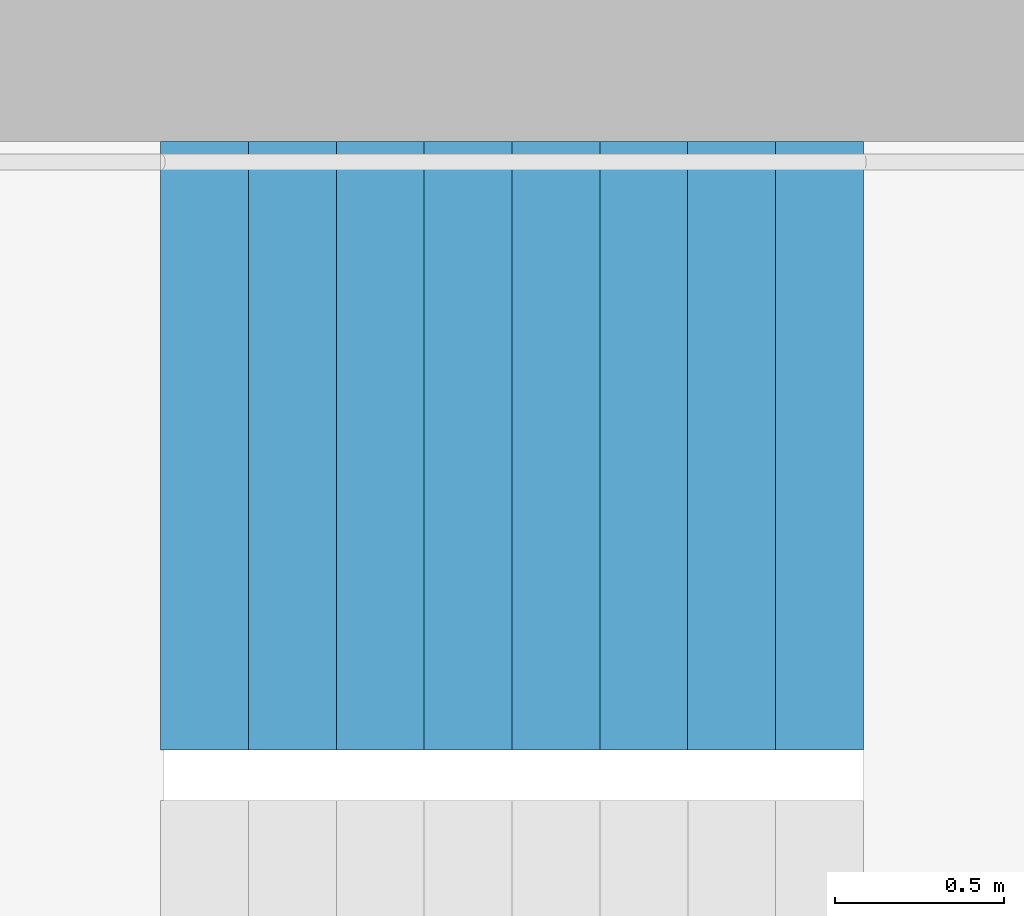
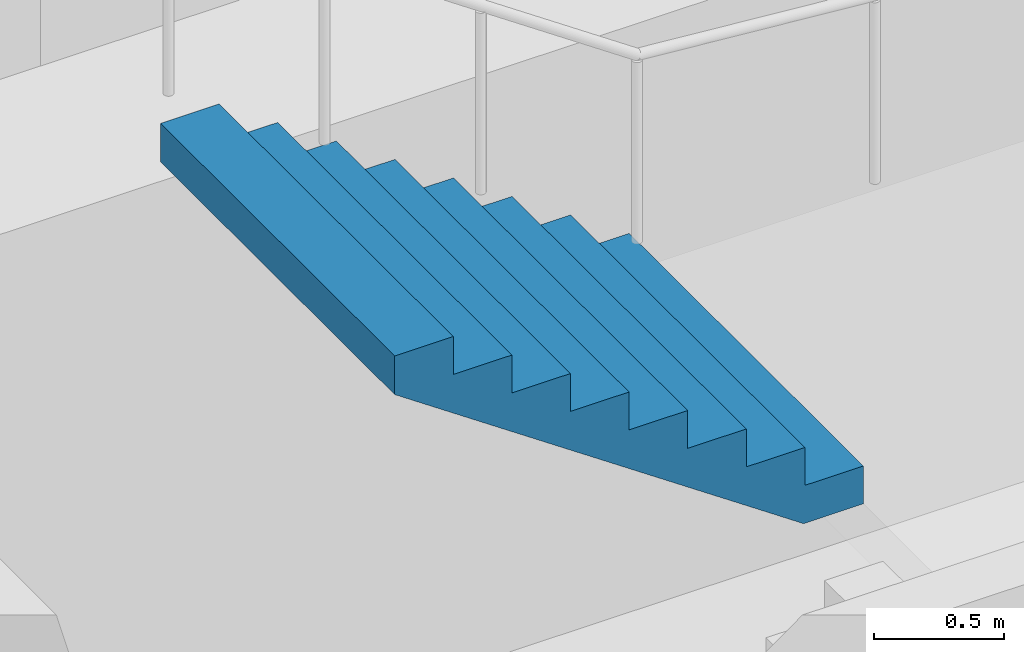
# One storey, part 20 of 25: 1 stair flight, 1 element without a shape of its own.
"""IFC4 building model written with IfcOpenShell, lengths in metres."""

from ifc_helpers import new_model, si_unit, direction, frame, origin, place, context, subcontext, project, spatial, triangles, material, type_object, element, aggregate, save


model = new_model("IFC4")

# Units and contexts
model_context = context("Model", 3, precision=1e-05, world=origin(), true_north=direction((0.0, 1.0)))
body_context = subcontext(model_context, "Body", "Model", "MODEL_VIEW")
ifc_project = project(units=[si_unit("LENGTHUNIT", "METRE"), si_unit("AREAUNIT", "SQUARE_METRE"), si_unit("VOLUMEUNIT", "CUBIC_METRE"), si_unit("PLANEANGLEUNIT", "RADIAN"), si_unit("MASSUNIT", "GRAM", prefix="KILO")], contexts=[model_context])

# Site, building, storey
site_placement = place(None, origin())
site = spatial("IfcSite", under=ifc_project, at=site_placement, CompositionType="ELEMENT")
building_placement = place(site_placement, origin())
building = spatial("IfcBuilding", under=site, at=building_placement, Name="Hakoniwa Tower and Hamabe Station Hall", CompositionType="ELEMENT")
storey_placement = place(building_placement, frame((0.0, 0.0, 202.60009765625)))
storey = spatial("IfcBuildingStorey", under=building, at=storey_placement, Name="L57", CompositionType="ELEMENT", Elevation=202.60009765625)

# Stair, stair flight
ifc_material_1 = material(Name="Concrete C40", Category="concrete")
stair_type = type_object("IfcStairType", Name="ESCAPE STAIR 1800", PredefinedType="HALF_TURN_STAIR", material=ifc_material_1)
stair_placement = place(storey_placement, origin())
stair = element("IfcStair", 1, at=stair_placement, inside=storey, type_object=stair_type, Name="Escape stair ST-1 L57", PredefinedType="HALF_TURN_STAIR")
ifc_material_2 = material(Name="Concrete C40", Category="concrete")
stair_flight_type = type_object("IfcStairFlightType", Name="STAIR FLIGHT 1800", PredefinedType="STRAIGHT", material=ifc_material_2)
stair_flight_placement = place(storey_placement, frame((-22.320068359375, 6.60009765625, 1.599853515625), z_axis=(0.0, 0.0, 1.0), x_axis=(-1.0, 0.0, 0.0)))
stair_flight = element("IfcStairFlight", 2, at=stair_flight_placement, type_object=stair_flight_type, Name="ST-1 flight 2", NumberOfRisers=9, NumberOfTreads=8, PredefinedType="STRAIGHT", RiserHeight=0.177777778, TreadLength=0.26, context=body_context, shape_type="Tessellation", body=[
    triangles([(0.0, 0.89990234375, 0.0), (0.260009765625, 0.89990234375, 0.0), (0.265625, 0.89990234375, 0.0), (0.52001953125, 0.89990234375, 0.174072265625), (0.780029296875, 0.89990234375, 0.351806640625), (1.0400390625, 0.89990234375, 0.529541015625), (1.300048828125, 0.89990234375, 0.707275390625), (1.56005859375, 0.89990234375, 0.885009765625), (1.820068359375, 0.89990234375, 1.062744140625), (2.080078125, 0.89990234375, 1.24072265625), (2.080078125, 0.89990234375, 1.422119140625), (1.820068359375, 0.89990234375, 1.422119140625), (1.820068359375, 0.89990234375, 1.244384765625), (1.56005859375, 0.89990234375, 1.244384765625), (1.56005859375, 0.89990234375, 1.066650390625), (1.300048828125, 0.89990234375, 1.066650390625), (1.300048828125, 0.89990234375, 0.888916015625), (1.0400390625, 0.89990234375, 0.888916015625), (1.0400390625, 0.89990234375, 0.711181640625), (0.780029296875, 0.89990234375, 0.711181640625), (0.780029296875, 0.89990234375, 0.533447265625), (0.52001953125, 0.89990234375, 0.533447265625), (0.52001953125, 0.89990234375, 0.35546875), (0.265625, 0.89990234375, 0.35546875), (0.260009765625, 0.89990234375, 0.35546875), (0.260009765625, 0.89990234375, 0.177734375), (0.0, 0.89990234375, 0.177734375), (0.0, 0.06005859375, 0.0), (0.260009765625, 0.06005859375, 0.0), (0.265625, 0.06005859375, 0.0), (0.52001953125, 0.06005859375, 0.174072265625), (0.780029296875, 0.06005859375, 0.351806640625), (1.0400390625, 0.06005859375, 0.529541015625), (1.300048828125, 0.06005859375, 0.707275390625), (1.56005859375, 0.06005859375, 0.885009765625), (1.820068359375, 0.06005859375, 1.062744140625), (2.080078125, 0.06005859375, 1.24072265625), (2.080078125, 0.06005859375, 1.422119140625), (1.820068359375, 0.06005859375, 1.422119140625), (1.820068359375, 0.06005859375, 1.244384765625), (1.56005859375, 0.06005859375, 1.244384765625), (1.56005859375, 0.06005859375, 1.066650390625), (1.300048828125, 0.06005859375, 1.066650390625), (1.300048828125, 0.06005859375, 0.888916015625), (1.0400390625, 0.06005859375, 0.888916015625), (1.0400390625, 0.06005859375, 0.711181640625), (0.780029296875, 0.06005859375, 0.711181640625), (0.780029296875, 0.06005859375, 0.533447265625), (0.52001953125, 0.06005859375, 0.533447265625), (0.52001953125, 0.06005859375, 0.35546875), (0.265625, 0.06005859375, 0.35546875), (0.260009765625, 0.06005859375, 0.35546875), (0.260009765625, 0.06005859375, 0.177734375), (0.0, 0.06005859375, 0.177734375), (0.0, 0.04296875, 0.0), (0.260009765625, 0.04296875, 0.0), (0.265625, 0.04296875, 0.0), (0.52001953125, 0.04296875, 0.174072265625), (0.780029296875, 0.04296875, 0.351806640625), (1.0400390625, 0.04296875, 0.529541015625), (1.300048828125, 0.04296875, 0.707275390625), (1.56005859375, 0.04296875, 0.885009765625), (1.820068359375, 0.04296875, 1.062744140625), (2.080078125, 0.04296875, 1.24072265625), (2.080078125, 0.04296875, 1.422119140625), (1.820068359375, 0.04296875, 1.422119140625), (1.820068359375, 0.04296875, 1.244384765625), (1.56005859375, 0.04296875, 1.244384765625), (1.56005859375, 0.04296875, 1.066650390625), (1.300048828125, 0.04296875, 1.066650390625), (1.300048828125, 0.04296875, 0.888916015625), (1.0400390625, 0.04296875, 0.888916015625), (1.0400390625, 0.04296875, 0.711181640625), (0.780029296875, 0.04296875, 0.711181640625), (0.780029296875, 0.04296875, 0.533447265625), (0.52001953125, 0.04296875, 0.533447265625), (0.52001953125, 0.04296875, 0.35546875), (0.265625, 0.04296875, 0.35546875), (0.260009765625, 0.04296875, 0.35546875), (0.260009765625, 0.04296875, 0.177734375), (0.0, 0.04296875, 0.177734375), (0.0, 0.025634765625, 0.0), (0.260009765625, 0.025634765625, 0.0), (0.265625, 0.025634765625, 0.0), (0.52001953125, 0.025634765625, 0.174072265625), (0.780029296875, 0.025634765625, 0.351806640625), (1.0400390625, 0.025634765625, 0.529541015625), (1.300048828125, 0.025634765625, 0.707275390625), (1.56005859375, 0.025634765625, 0.885009765625), (1.820068359375, 0.025634765625, 1.062744140625), (2.080078125, 0.025634765625, 1.24072265625), (2.080078125, 0.025634765625, 1.422119140625), (1.820068359375, 0.025634765625, 1.422119140625), (1.820068359375, 0.025634765625, 1.244384765625), (1.56005859375, 0.025634765625, 1.244384765625), (1.56005859375, 0.025634765625, 1.066650390625), (1.300048828125, 0.025634765625, 1.066650390625), (1.300048828125, 0.025634765625, 0.888916015625), (1.0400390625, 0.025634765625, 0.888916015625), (1.0400390625, 0.025634765625, 0.711181640625), (0.780029296875, 0.025634765625, 0.711181640625), (0.780029296875, 0.025634765625, 0.533447265625), (0.52001953125, 0.025634765625, 0.533447265625), (0.52001953125, 0.025634765625, 0.35546875), (0.265625, 0.025634765625, 0.35546875), (0.260009765625, 0.025634765625, 0.35546875), (0.260009765625, 0.025634765625, 0.177734375), (0.0, 0.025634765625, 0.177734375), (0.0, 0.008544921875, 0.0), (0.260009765625, 0.008544921875, 0.0), (0.265625, 0.008544921875, 0.0), (0.52001953125, 0.008544921875, 0.174072265625), (0.780029296875, 0.008544921875, 0.351806640625), (1.0400390625, 0.008544921875, 0.529541015625), (1.300048828125, 0.008544921875, 0.707275390625), (1.56005859375, 0.008544921875, 0.885009765625), (1.820068359375, 0.008544921875, 1.062744140625), (2.080078125, 0.008544921875, 1.24072265625), (2.080078125, 0.008544921875, 1.422119140625), (1.820068359375, 0.008544921875, 1.422119140625), (1.820068359375, 0.008544921875, 1.244384765625), (1.56005859375, 0.008544921875, 1.244384765625), (1.56005859375, 0.008544921875, 1.066650390625), (1.300048828125, 0.008544921875, 1.066650390625), (1.300048828125, 0.008544921875, 0.888916015625), (1.0400390625, 0.008544921875, 0.888916015625), (1.0400390625, 0.008544921875, 0.711181640625), (0.780029296875, 0.008544921875, 0.711181640625), (0.780029296875, 0.008544921875, 0.533447265625), (0.52001953125, 0.008544921875, 0.533447265625), (0.52001953125, 0.008544921875, 0.35546875), (0.265625, 0.008544921875, 0.35546875), (0.260009765625, 0.008544921875, 0.35546875), (0.260009765625, 0.008544921875, 0.177734375), (0.0, 0.008544921875, 0.177734375), (0.0, -0.008544921875, 0.0), (0.260009765625, -0.008544921875, 0.0), (0.265625, -0.008544921875, 0.0), (0.52001953125, -0.008544921875, 0.174072265625), (0.780029296875, -0.008544921875, 0.351806640625), (1.0400390625, -0.008544921875, 0.529541015625), (1.300048828125, -0.008544921875, 0.707275390625), (1.56005859375, -0.008544921875, 0.885009765625), (1.820068359375, -0.008544921875, 1.062744140625), (2.080078125, -0.008544921875, 1.24072265625), (2.080078125, -0.008544921875, 1.422119140625), (1.820068359375, -0.008544921875, 1.422119140625), (1.820068359375, -0.008544921875, 1.244384765625), (1.56005859375, -0.008544921875, 1.244384765625), (1.56005859375, -0.008544921875, 1.066650390625), (1.300048828125, -0.008544921875, 1.066650390625), (1.300048828125, -0.008544921875, 0.888916015625), (1.0400390625, -0.008544921875, 0.888916015625), (1.0400390625, -0.008544921875, 0.711181640625), (0.780029296875, -0.008544921875, 0.711181640625), (0.780029296875, -0.008544921875, 0.533447265625), (0.52001953125, -0.008544921875, 0.533447265625), (0.52001953125, -0.008544921875, 0.35546875), (0.265625, -0.008544921875, 0.35546875), (0.260009765625, -0.008544921875, 0.35546875), (0.260009765625, -0.008544921875, 0.177734375), (0.0, -0.008544921875, 0.177734375), (0.0, -0.025634765625, 0.0), (0.260009765625, -0.025634765625, 0.0), (0.265625, -0.025634765625, 0.0), (0.52001953125, -0.025634765625, 0.174072265625), (0.780029296875, -0.025634765625, 0.351806640625), (1.0400390625, -0.025634765625, 0.529541015625), (1.300048828125, -0.025634765625, 0.707275390625), (1.56005859375, -0.025634765625, 0.885009765625), (1.820068359375, -0.025634765625, 1.062744140625), (2.080078125, -0.025634765625, 1.24072265625), (2.080078125, -0.025634765625, 1.422119140625), (1.820068359375, -0.025634765625, 1.422119140625), (1.820068359375, -0.025634765625, 1.244384765625), (1.56005859375, -0.025634765625, 1.244384765625), (1.56005859375, -0.025634765625, 1.066650390625), (1.300048828125, -0.025634765625, 1.066650390625), (1.300048828125, -0.025634765625, 0.888916015625), (1.0400390625, -0.025634765625, 0.888916015625), (1.0400390625, -0.025634765625, 0.711181640625), (0.780029296875, -0.025634765625, 0.711181640625), (0.780029296875, -0.025634765625, 0.533447265625), (0.52001953125, -0.025634765625, 0.533447265625), (0.52001953125, -0.025634765625, 0.35546875), (0.265625, -0.025634765625, 0.35546875), (0.260009765625, -0.025634765625, 0.35546875), (0.260009765625, -0.025634765625, 0.177734375), (0.0, -0.025634765625, 0.177734375), (0.0, -0.04296875, 0.0), (0.260009765625, -0.04296875, 0.0), (0.265625, -0.04296875, 0.0), (0.52001953125, -0.04296875, 0.174072265625), (0.780029296875, -0.04296875, 0.351806640625), (1.0400390625, -0.04296875, 0.529541015625), (1.300048828125, -0.04296875, 0.707275390625), (1.56005859375, -0.04296875, 0.885009765625), (1.820068359375, -0.04296875, 1.062744140625), (2.080078125, -0.04296875, 1.24072265625), (2.080078125, -0.04296875, 1.422119140625), (1.820068359375, -0.04296875, 1.422119140625), (1.820068359375, -0.04296875, 1.244384765625), (1.56005859375, -0.04296875, 1.244384765625), (1.56005859375, -0.04296875, 1.066650390625), (1.300048828125, -0.04296875, 1.066650390625), (1.300048828125, -0.04296875, 0.888916015625), (1.0400390625, -0.04296875, 0.888916015625), (1.0400390625, -0.04296875, 0.711181640625), (0.780029296875, -0.04296875, 0.711181640625), (0.780029296875, -0.04296875, 0.533447265625), (0.52001953125, -0.04296875, 0.533447265625), (0.52001953125, -0.04296875, 0.35546875), (0.265625, -0.04296875, 0.35546875), (0.260009765625, -0.04296875, 0.35546875), (0.260009765625, -0.04296875, 0.177734375), (0.0, -0.04296875, 0.177734375), (0.0, -0.06005859375, 0.0), (0.260009765625, -0.06005859375, 0.0), (0.265625, -0.06005859375, 0.0), (0.52001953125, -0.06005859375, 0.174072265625), (0.780029296875, -0.06005859375, 0.351806640625), (1.0400390625, -0.06005859375, 0.529541015625), (1.300048828125, -0.06005859375, 0.707275390625), (1.56005859375, -0.06005859375, 0.885009765625), (1.820068359375, -0.06005859375, 1.062744140625), (2.080078125, -0.06005859375, 1.24072265625), (2.080078125, -0.06005859375, 1.422119140625), (1.820068359375, -0.06005859375, 1.422119140625), (1.820068359375, -0.06005859375, 1.244384765625), (1.56005859375, -0.06005859375, 1.244384765625), (1.56005859375, -0.06005859375, 1.066650390625), (1.300048828125, -0.06005859375, 1.066650390625), (1.300048828125, -0.06005859375, 0.888916015625), (1.0400390625, -0.06005859375, 0.888916015625), (1.0400390625, -0.06005859375, 0.711181640625), (0.780029296875, -0.06005859375, 0.711181640625), (0.780029296875, -0.06005859375, 0.533447265625), (0.52001953125, -0.06005859375, 0.533447265625), (0.52001953125, -0.06005859375, 0.35546875), (0.265625, -0.06005859375, 0.35546875), (0.260009765625, -0.06005859375, 0.35546875), (0.260009765625, -0.06005859375, 0.177734375), (0.0, -0.06005859375, 0.177734375), (0.0, -0.89990234375, 0.0), (0.260009765625, -0.89990234375, 0.0), (0.265625, -0.89990234375, 0.0), (0.52001953125, -0.89990234375, 0.174072265625), (0.780029296875, -0.89990234375, 0.351806640625), (1.0400390625, -0.89990234375, 0.529541015625), (1.300048828125, -0.89990234375, 0.707275390625), (1.56005859375, -0.89990234375, 0.885009765625), (1.820068359375, -0.89990234375, 1.062744140625), (2.080078125, -0.89990234375, 1.24072265625), (2.080078125, -0.89990234375, 1.422119140625), (1.820068359375, -0.89990234375, 1.422119140625), (1.820068359375, -0.89990234375, 1.244384765625), (1.56005859375, -0.89990234375, 1.244384765625), (1.56005859375, -0.89990234375, 1.066650390625), (1.300048828125, -0.89990234375, 1.066650390625), (1.300048828125, -0.89990234375, 0.888916015625), (1.0400390625, -0.89990234375, 0.888916015625), (1.0400390625, -0.89990234375, 0.711181640625), (0.780029296875, -0.89990234375, 0.711181640625), (0.780029296875, -0.89990234375, 0.533447265625), (0.52001953125, -0.89990234375, 0.533447265625), (0.52001953125, -0.89990234375, 0.35546875), (0.265625, -0.89990234375, 0.35546875), (0.260009765625, -0.89990234375, 0.35546875), (0.260009765625, -0.89990234375, 0.177734375), (0.0, -0.89990234375, 0.177734375)], [[2, 27, 26], [245, 269, 270], [2, 1, 27], [245, 270, 244], [3, 25, 24], [246, 267, 268], [3, 26, 25], [246, 268, 269], [3, 2, 26], [246, 269, 245], [4, 24, 23], [247, 266, 267], [4, 3, 24], [247, 267, 246], [5, 22, 21], [248, 264, 265], [5, 23, 22], [248, 265, 266], [5, 4, 23], [248, 266, 247], [6, 20, 19], [249, 262, 263], [6, 21, 20], [249, 263, 264], [6, 5, 21], [249, 264, 248], [7, 18, 17], [250, 260, 261], [7, 19, 18], [250, 261, 262], [7, 6, 19], [250, 262, 249], [8, 16, 15], [251, 258, 259], [8, 17, 16], [251, 259, 260], [8, 7, 17], [251, 260, 250], [9, 14, 13], [252, 256, 257], [9, 15, 14], [252, 257, 258], [9, 8, 15], [252, 258, 251], [10, 12, 11], [253, 254, 255], [10, 13, 12], [253, 255, 256], [10, 9, 13], [253, 256, 252], [1, 2, 29], [1, 29, 28], [28, 29, 56], [28, 56, 55], [55, 56, 83], [55, 83, 82], [82, 83, 110], [82, 110, 109], [109, 110, 137], [109, 137, 136], [136, 137, 164], [136, 164, 163], [163, 164, 191], [163, 191, 190], [190, 191, 218], [190, 218, 217], [217, 218, 245], [217, 245, 244], [2, 3, 30], [2, 30, 29], [29, 30, 57], [29, 57, 56], [56, 57, 84], [56, 84, 83], [83, 84, 111], [83, 111, 110], [110, 111, 138], [110, 138, 137], [137, 138, 165], [137, 165, 164], [164, 165, 192], [164, 192, 191], [191, 192, 219], [191, 219, 218], [218, 219, 246], [218, 246, 245], [3, 4, 31], [3, 31, 30], [30, 31, 58], [30, 58, 57], [57, 58, 85], [57, 85, 84], [84, 85, 112], [84, 112, 111], [111, 112, 139], [111, 139, 138], [138, 139, 166], [138, 166, 165], [165, 166, 193], [165, 193, 192], [192, 193, 220], [192, 220, 219], [219, 220, 247], [219, 247, 246], [4, 5, 32], [4, 32, 31], [31, 32, 59], [31, 59, 58], [58, 59, 86], [58, 86, 85], [85, 86, 113], [85, 113, 112], [112, 113, 140], [112, 140, 139], [139, 140, 167], [139, 167, 166], [166, 167, 194], [166, 194, 193], [193, 194, 221], [193, 221, 220], [220, 221, 248], [220, 248, 247], [5, 6, 33], [5, 33, 32], [32, 33, 60], [32, 60, 59], [59, 60, 87], [59, 87, 86], [86, 87, 114], [86, 114, 113], [113, 114, 141], [113, 141, 140], [140, 141, 168], [140, 168, 167], [167, 168, 195], [167, 195, 194], [194, 195, 222], [194, 222, 221], [221, 222, 249], [221, 249, 248], [6, 7, 34], [6, 34, 33], [33, 34, 61], [33, 61, 60], [60, 61, 88], [60, 88, 87], [87, 88, 115], [87, 115, 114], [114, 115, 142], [114, 142, 141], [141, 142, 169], [141, 169, 168], [168, 169, 196], [168, 196, 195], [195, 196, 223], [195, 223, 222], [222, 223, 250], [222, 250, 249], [7, 8, 35], [7, 35, 34], [34, 35, 62], [34, 62, 61], [61, 62, 89], [61, 89, 88], [88, 89, 116], [88, 116, 115], [115, 116, 143], [115, 143, 142], [142, 143, 170], [142, 170, 169], [169, 170, 197], [169, 197, 196], [196, 197, 224], [196, 224, 223], [223, 224, 251], [223, 251, 250], [8, 9, 36], [8, 36, 35], [35, 36, 63], [35, 63, 62], [62, 63, 90], [62, 90, 89], [89, 90, 117], [89, 117, 116], [116, 117, 144], [116, 144, 143], [143, 144, 171], [143, 171, 170], [170, 171, 198], [170, 198, 197], [197, 198, 225], [197, 225, 224], [224, 225, 252], [224, 252, 251], [9, 10, 37], [9, 37, 36], [36, 37, 64], [36, 64, 63], [63, 64, 91], [63, 91, 90], [90, 91, 118], [90, 118, 117], [117, 118, 145], [117, 145, 144], [144, 145, 172], [144, 172, 171], [171, 172, 199], [171, 199, 198], [198, 199, 226], [198, 226, 225], [225, 226, 253], [225, 253, 252], [10, 11, 38], [10, 38, 37], [37, 38, 65], [37, 65, 64], [64, 65, 92], [64, 92, 91], [91, 92, 119], [91, 119, 118], [118, 119, 146], [118, 146, 145], [145, 146, 173], [145, 173, 172], [172, 173, 200], [172, 200, 199], [199, 200, 227], [199, 227, 226], [226, 227, 254], [226, 254, 253], [11, 12, 39], [11, 39, 38], [38, 39, 66], [38, 66, 65], [65, 66, 93], [65, 93, 92], [92, 93, 120], [92, 120, 119], [119, 120, 147], [119, 147, 146], [146, 147, 174], [146, 174, 173], [173, 174, 201], [173, 201, 200], [200, 201, 228], [200, 228, 227], [227, 228, 255], [227, 255, 254], [12, 13, 40], [12, 40, 39], [39, 40, 67], [39, 67, 66], [66, 67, 94], [66, 94, 93], [93, 94, 121], [93, 121, 120], [120, 121, 148], [120, 148, 147], [147, 148, 175], [147, 175, 174], [174, 175, 202], [174, 202, 201], [201, 202, 229], [201, 229, 228], [228, 229, 256], [228, 256, 255], [13, 14, 41], [13, 41, 40], [40, 41, 68], [40, 68, 67], [67, 68, 95], [67, 95, 94], [94, 95, 122], [94, 122, 121], [121, 122, 149], [121, 149, 148], [148, 149, 176], [148, 176, 175], [175, 176, 203], [175, 203, 202], [202, 203, 230], [202, 230, 229], [229, 230, 257], [229, 257, 256], [14, 15, 42], [14, 42, 41], [41, 42, 69], [41, 69, 68], [68, 69, 96], [68, 96, 95], [95, 96, 123], [95, 123, 122], [122, 123, 150], [122, 150, 149], [149, 150, 177], [149, 177, 176], [176, 177, 204], [176, 204, 203], [203, 204, 231], [203, 231, 230], [230, 231, 258], [230, 258, 257], [15, 16, 43], [15, 43, 42], [42, 43, 70], [42, 70, 69], [69, 70, 97], [69, 97, 96], [96, 97, 124], [96, 124, 123], [123, 124, 151], [123, 151, 150], [150, 151, 178], [150, 178, 177], [177, 178, 205], [177, 205, 204], [204, 205, 232], [204, 232, 231], [231, 232, 259], [231, 259, 258], [16, 17, 44], [16, 44, 43], [43, 44, 71], [43, 71, 70], [70, 71, 98], [70, 98, 97], [97, 98, 125], [97, 125, 124], [124, 125, 152], [124, 152, 151], [151, 152, 179], [151, 179, 178], [178, 179, 206], [178, 206, 205], [205, 206, 233], [205, 233, 232], [232, 233, 260], [232, 260, 259], [17, 18, 45], [17, 45, 44], [44, 45, 72], [44, 72, 71], [71, 72, 99], [71, 99, 98], [98, 99, 126], [98, 126, 125], [125, 126, 153], [125, 153, 152], [152, 153, 180], [152, 180, 179], [179, 180, 207], [179, 207, 206], [206, 207, 234], [206, 234, 233], [233, 234, 261], [233, 261, 260], [18, 19, 46], [18, 46, 45], [45, 46, 73], [45, 73, 72], [72, 73, 100], [72, 100, 99], [99, 100, 127], [99, 127, 126], [126, 127, 154], [126, 154, 153], [153, 154, 181], [153, 181, 180], [180, 181, 208], [180, 208, 207], [207, 208, 235], [207, 235, 234], [234, 235, 262], [234, 262, 261], [19, 20, 47], [19, 47, 46], [46, 47, 74], [46, 74, 73], [73, 74, 101], [73, 101, 100], [100, 101, 128], [100, 128, 127], [127, 128, 155], [127, 155, 154], [154, 155, 182], [154, 182, 181], [181, 182, 209], [181, 209, 208], [208, 209, 236], [208, 236, 235], [235, 236, 263], [235, 263, 262], [20, 21, 48], [20, 48, 47], [47, 48, 75], [47, 75, 74], [74, 75, 102], [74, 102, 101], [101, 102, 129], [101, 129, 128], [128, 129, 156], [128, 156, 155], [155, 156, 183], [155, 183, 182], [182, 183, 210], [182, 210, 209], [209, 210, 237], [209, 237, 236], [236, 237, 264], [236, 264, 263], [21, 22, 49], [21, 49, 48], [48, 49, 76], [48, 76, 75], [75, 76, 103], [75, 103, 102], [102, 103, 130], [102, 130, 129], [129, 130, 157], [129, 157, 156], [156, 157, 184], [156, 184, 183], [183, 184, 211], [183, 211, 210], [210, 211, 238], [210, 238, 237], [237, 238, 265], [237, 265, 264], [22, 23, 50], [22, 50, 49], [49, 50, 77], [49, 77, 76], [76, 77, 104], [76, 104, 103], [103, 104, 131], [103, 131, 130], [130, 131, 158], [130, 158, 157], [157, 158, 185], [157, 185, 184], [184, 185, 212], [184, 212, 211], [211, 212, 239], [211, 239, 238], [238, 239, 266], [238, 266, 265], [23, 24, 51], [23, 51, 50], [50, 51, 78], [50, 78, 77], [77, 78, 105], [77, 105, 104], [104, 105, 132], [104, 132, 131], [131, 132, 159], [131, 159, 158], [158, 159, 186], [158, 186, 185], [185, 186, 213], [185, 213, 212], [212, 213, 240], [212, 240, 239], [239, 240, 267], [239, 267, 266], [24, 25, 52], [24, 52, 51], [51, 52, 79], [51, 79, 78], [78, 79, 106], [78, 106, 105], [105, 106, 133], [105, 133, 132], [132, 133, 160], [132, 160, 159], [159, 160, 187], [159, 187, 186], [186, 187, 214], [186, 214, 213], [213, 214, 241], [213, 241, 240], [240, 241, 268], [240, 268, 267], [25, 26, 53], [25, 53, 52], [52, 53, 80], [52, 80, 79], [79, 80, 107], [79, 107, 106], [106, 107, 134], [106, 134, 133], [133, 134, 161], [133, 161, 160], [160, 161, 188], [160, 188, 187], [187, 188, 215], [187, 215, 214], [214, 215, 242], [214, 242, 241], [241, 242, 269], [241, 269, 268], [26, 27, 54], [26, 54, 53], [53, 54, 81], [53, 81, 80], [80, 81, 108], [80, 108, 107], [107, 108, 135], [107, 135, 134], [134, 135, 162], [134, 162, 161], [161, 162, 189], [161, 189, 188], [188, 189, 216], [188, 216, 215], [215, 216, 243], [215, 243, 242], [242, 243, 270], [242, 270, 269], [27, 1, 28], [27, 28, 54], [54, 28, 55], [54, 55, 81], [81, 55, 82], [81, 82, 108], [108, 82, 109], [108, 109, 135], [135, 109, 136], [135, 136, 162], [162, 136, 163], [162, 163, 189], [189, 163, 190], [189, 190, 216], [216, 190, 217], [216, 217, 243], [243, 217, 244], [243, 244, 270]], closed=True),
])
aggregate(stair, [stair_flight])

save(model, "model.ifc")
